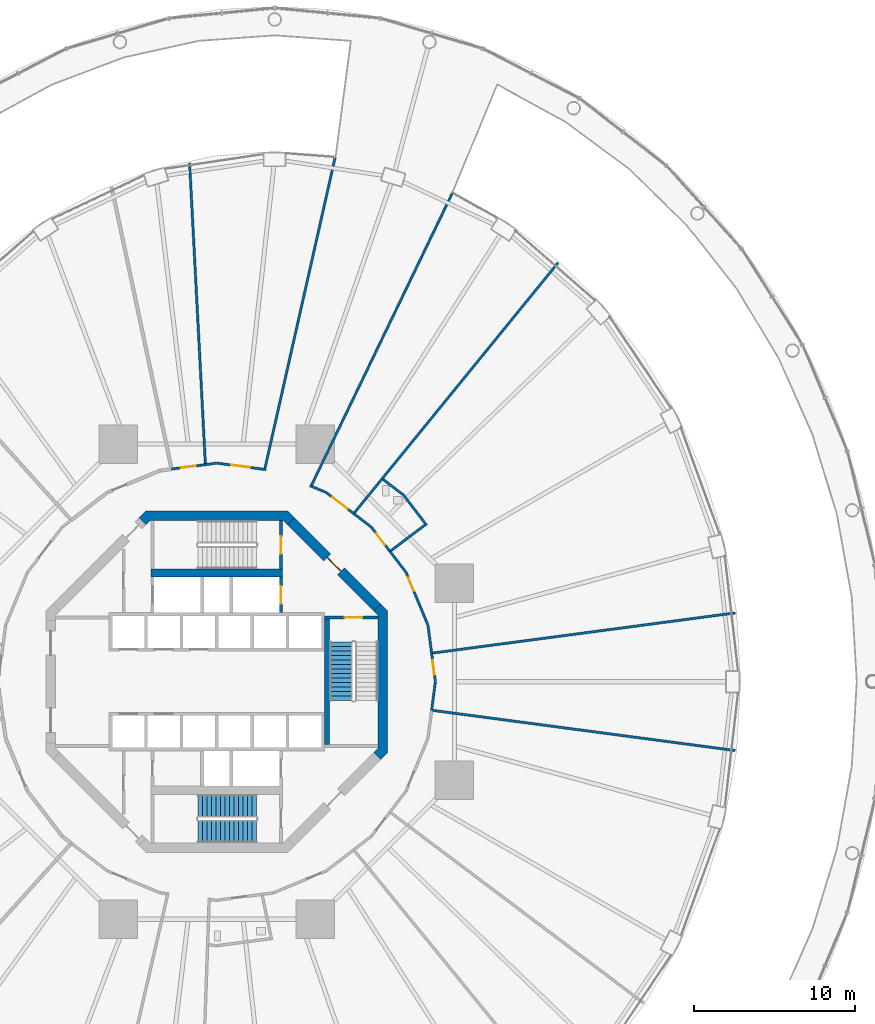
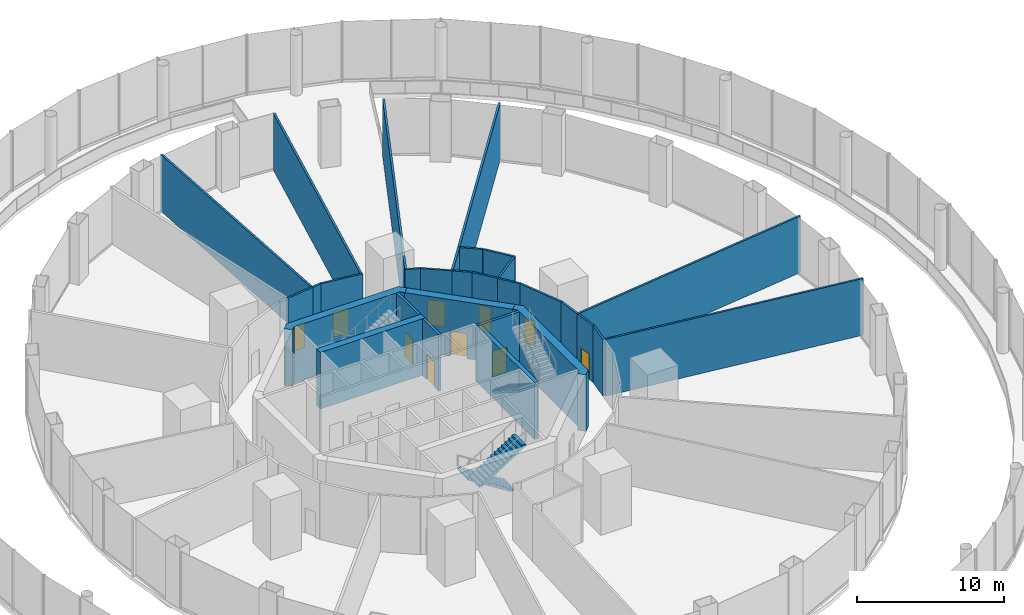
# One storey, part 44 of 48: 30 walls, 10 doors, 3 stair flights, 10 openings, 2 elements without a shape of their own.
"""IFC4 building model written with IfcOpenShell, lengths in metres."""

from ifc_helpers import new_model, si_unit, direction, frame, frame_2d, origin, place, context, subcontext, project, spatial, polyline, rectangle, outline, extrude, material, layer, layer_set, type_object, element, fill, aggregate, save


model = new_model("IFC4")

# Units and contexts
model_context = context("Model", 3, precision=1e-05, world=origin(), true_north=direction((0.0, 1.0)))
body_context = subcontext(model_context, "Body", "Model", "MODEL_VIEW")
ifc_project = project(units=[si_unit("LENGTHUNIT", "METRE"), si_unit("AREAUNIT", "SQUARE_METRE"), si_unit("VOLUMEUNIT", "CUBIC_METRE"), si_unit("PLANEANGLEUNIT", "RADIAN"), si_unit("MASSUNIT", "GRAM", prefix="KILO")], contexts=[model_context])

# Site, building, storey
site_placement = place(None, origin())
site = spatial("IfcSite", under=ifc_project, at=site_placement, CompositionType="ELEMENT")
building_placement = place(site_placement, origin())
building = spatial("IfcBuilding", under=site, at=building_placement, Name="Nagisa Residences", CompositionType="ELEMENT")
storey_placement = place(building_placement, frame((0.0, 0.0, 12.0)))
storey = spatial("IfcBuildingStorey", under=building, at=storey_placement, Name="L02", CompositionType="ELEMENT", Elevation=12.0)

# Wall, opening, door
ifc_material_1 = material(Name="Concrete C60", Category="concrete")
ifc_layer_1 = layer(ifc_material_1, 0.60009765625)
ifc_layer_set_1 = layer_set([ifc_layer_1], Name="Core shear wall 600")
wall_type_1 = type_object("IfcWallType", Name="Core shear wall 600", PredefinedType="SHEAR", material=ifc_layer_set_1)
wall_1_placement = place(storey_placement, frame((9.98828125, 4.613037109375, 0.0), z_axis=(0.0, 0.0, 1.0), x_axis=(-0.707106781187, 0.707106781187, 0.0)))
wall_1 = element("IfcWall", 1, at=wall_1_placement, inside=storey, type_object=wall_type_1, Name="wall:L02:core:flat1", PredefinedType="SHEAR", context=body_context, shape_type="SweptSolid", body=[
    extrude(rectangle(XDim=7.601806640625, YDim=0.60009765625, at=frame_2d((3.80078125, 0.0))), origin(), (0.0, 0.0, 1.0), 4.699951171875),
])
opening_1_placement = place(wall_1_placement, frame((3.200927734375, 0.0, 0.0)))
opening_1 = element("IfcOpeningElement", 2, at=opening_1_placement, cuts=wall_1, Name="Opening L02-C15", PredefinedType="OPENING", context=body_context, shape_type="SweptSolid", body=[
    extrude(rectangle(XDim=1.199951171875, YDim=2.10009765625, at=frame_2d((0.60009765625, 1.050048828125))), frame((0.0, 0.31005859375, 0.0), z_axis=(0.0, -1.0, 0.0), x_axis=(1.0, 0.0, 0.0)), (0.0, 0.0, 1.0), 0.6201171875),
])
ifc_material_2 = material(Name="Steel fire door", Category="steel")
door_type_1 = type_object("IfcDoorType", Name="Fire door EI60 1200x2100 single swing", OperationType="NOTDEFINED", PredefinedType="DOOR", material=ifc_material_2)
door_1_placement = place(opening_1_placement, origin())
door_1 = element("IfcDoor", 3, at=door_1_placement, inside=storey, type_object=door_type_1, Name="Firefighting lobby 1 door L02", OperationType="SINGLE_SWING_RIGHT", OverallHeight=2.10009765625, OverallWidth=1.199951171875, PredefinedType="DOOR", context=body_context, shape_type="SweptSolid", body=[
    extrude(rectangle(XDim=1.199951171875, YDim=2.10009765625, at=frame_2d((0.60009765625, 1.050048828125))), frame((0.0, 0.02490234375, 0.0), z_axis=(0.0, -1.0, 0.0), x_axis=(1.0, 0.0, 0.0)), (0.0, 0.0, 1.0), 0.050048828125),
])
fill(opening_1, door_1)

# Walls
wall_2_placement = place(storey_placement, origin())
element("IfcWall", 4, at=wall_2_placement, inside=storey, type_object=wall_type_1, Name="wall:L02:core:flat2", PredefinedType="SHEAR", context=body_context, shape_type="SweptSolid", body=[
    extrude(outline(polyline([(-4.15234375, 10.024658203125), (-4.40087890625, 9.776123046875), (-4.8251953125, 10.200439453125), (-4.40087890625, 10.62451171875), (4.40087890625, 10.62451171875), (4.8251953125, 10.200439453125), (4.40087890625, 9.776123046875), (4.15234375, 10.024658203125), (-4.15234375, 10.024658203125)])), origin(), (0.0, 0.0, 1.0), 4.699951171875),
])
wall_3_placement = place(storey_placement, origin())
element("IfcWall", 5, at=wall_3_placement, inside=storey, type_object=wall_type_1, Name="wall:L02:core:flat0", PredefinedType="SHEAR", context=body_context, shape_type="SweptSolid", body=[
    extrude(outline(polyline([(9.776123046875, -4.40087890625), (10.024658203125, -4.15234375), (10.024658203125, -3.801025390625), (10.024658203125, 4.15234375), (9.776123046875, 4.40087890625), (10.200439453125, 4.8251953125), (10.62451171875, 4.40087890625), (10.62451171875, -4.40087890625), (10.200439453125, -4.8251953125), (9.776123046875, -4.40087890625)])), origin(), (0.0, 0.0, 1.0), 4.699951171875),
])

# Wall, opening, door
ifc_material_3 = material(Name="Concrete C60", Category="concrete")
ifc_layer_2 = layer(ifc_material_3, 0.199951171875)
ifc_layer_set_2 = layer_set([ifc_layer_2], Name="Lift shaft wall 200")
wall_type_2 = type_object("IfcWallType", Name="Lift shaft wall 200", PredefinedType="SOLIDWALL", material=ifc_layer_set_2)
wall_4_placement = place(storey_placement, frame((4.0, 4.300048828125, 0.0), z_axis=(0.0, 0.0, 1.0), x_axis=(0.0, 1.0, 0.0)))
wall_4 = element("IfcWall", 6, at=wall_4_placement, inside=storey, type_object=wall_type_2, Name="wall:L02:Nb3", PredefinedType="SOLIDWALL", context=body_context, shape_type="SweptSolid", body=[
    extrude(rectangle(XDim=2.199951171875, YDim=0.199951171875, at=frame_2d((1.10009765625, 0.0))), origin(), (0.0, 0.0, 1.0), 4.699951171875),
])
opening_2_placement = place(wall_4_placement, frame((0.550048828125, 0.0, 0.0)))
opening_2 = element("IfcOpeningElement", 7, at=opening_2_placement, cuts=wall_4, Name="Opening L02-C06", PredefinedType="OPENING", context=body_context, shape_type="SweptSolid", body=[
    extrude(rectangle(XDim=1.10009765625, YDim=2.10009765625, at=frame_2d((0.550048828125, 1.050048828125))), frame((0.0, 0.10986328125, 0.0), z_axis=(0.0, -1.0, 0.0), x_axis=(1.0, 0.0, 0.0)), (0.0, 0.0, 1.0), 0.219970703125),
])
ifc_material_4 = material(Name="Stainless steel", Category="steel")
door_type_2 = type_object("IfcDoorType", Name="Lift landing door 1100x2100", OperationType="DOUBLE_DOOR_SLIDING", PredefinedType="DOOR", material=ifc_material_4)
door_2_placement = place(opening_2_placement, origin())
door_2 = element("IfcDoor", 8, at=door_2_placement, inside=storey, type_object=door_type_2, Name="Landing door FL1 L02", OperationType="DOUBLE_DOOR_SLIDING", OverallHeight=2.10009765625, OverallWidth=1.10009765625, PredefinedType="DOOR", context=body_context, shape_type="SweptSolid", body=[
    extrude(rectangle(XDim=1.10009765625, YDim=2.10009765625, at=frame_2d((0.550048828125, 1.050048828125))), frame((0.0, 0.02490234375, 0.0), z_axis=(0.0, -1.0, 0.0), x_axis=(1.0, 0.0, 0.0)), (0.0, 0.0, 1.0), 0.050048828125),
])
fill(opening_2, door_2)

ifc_material_5 = material(Name="Gypsum board on steel studs", Category="steel")
ifc_layer_3 = layer(ifc_material_5, 0.14990234375)
ifc_layer_set_3 = layer_set([ifc_layer_3], Name="Room partition EI60 150")
wall_type_3 = type_object("IfcWallType", Name="Room partition EI60 150", PredefinedType="PARTITIONING", material=ifc_layer_set_3)
wall_5_placement = place(storey_placement, frame((-2.81201171875, 13.229736328125, 0.0), z_axis=(0.0, 0.0, 1.0), x_axis=(0.991438625664, 0.130573548402, 0.0)))
wall_5 = element("IfcWall", 9, at=wall_5_placement, inside=storey, type_object=wall_type_3, Name="wall:L02:am011", PredefinedType="PARTITIONING", context=body_context, shape_type="SweptSolid", body=[
    extrude(rectangle(XDim=2.1220703125, YDim=0.14990234375, at=frame_2d((1.06103515625, 0.0))), origin(), (0.0, 0.0, 1.0), 4.699951171875),
])
opening_3_placement = place(wall_5_placement, frame((0.611083984375, 0.0, 0.0)))
opening_3 = element("IfcOpeningElement", 10, at=opening_3_placement, cuts=wall_5, Name="Opening L02-A05", PredefinedType="OPENING", context=body_context, shape_type="SweptSolid", body=[
    extrude(rectangle(XDim=0.89990234375, YDim=2.10009765625, at=frame_2d((0.449951171875, 1.050048828125))), frame((0.0, 0.0849609375, 0.0), z_axis=(0.0, -1.0, 0.0), x_axis=(1.0, 0.0, 0.0)), (0.0, 0.0, 1.0), 0.169921875),
])
ifc_material_6 = material(Name="Steel fire door", Category="steel")
door_type_3 = type_object("IfcDoorType", Name="Fire door EI30 900x2100 single swing", OperationType="NOTDEFINED", PredefinedType="DOOR", material=ifc_material_6)
door_3_placement = place(opening_3_placement, origin())
door_3 = element("IfcDoor", 11, at=door_3_placement, inside=storey, type_object=door_type_3, Name="Wine and glassware store door", OperationType="SINGLE_SWING_LEFT", OverallHeight=2.10009765625, OverallWidth=0.89990234375, PredefinedType="DOOR", context=body_context, shape_type="SweptSolid", body=[
    extrude(rectangle(XDim=0.89990234375, YDim=2.10009765625, at=frame_2d((0.449951171875, 1.050048828125))), frame((0.0, 0.02490234375, 0.0), z_axis=(0.0, -1.0, 0.0), x_axis=(1.0, 0.0, 0.0)), (0.0, 0.0, 1.0), 0.050048828125),
])
fill(opening_3, door_3)

# Walls
wall_6_placement = place(storey_placement, frame((-0.7119140625, 13.58203125, 0.0), z_axis=(0.0, 0.0, 1.0), x_axis=(-0.052329494039, 0.998629873403, 0.0)))
element("IfcWall", 12, at=wall_6_placement, inside=storey, type_object=wall_type_3, Name="wall:L02:am012", PredefinedType="PARTITIONING", context=body_context, shape_type="SweptSolid", body=[
    extrude(rectangle(XDim=18.7177734375, YDim=0.14990234375, at=frame_2d((9.35888671875, 0.0))), origin(), (0.0, 0.0, 1.0), 4.699951171875),
])
wall_7_placement = place(storey_placement, frame((-0.7080078125, 13.5068359375, 0.0), z_axis=(0.0, 0.0, 1.0), x_axis=(0.991466123966, 0.130364585024, 0.0)))
element("IfcWall", 13, at=wall_7_placement, inside=storey, type_object=wall_type_3, Name="wall:L02:am013", PredefinedType="PARTITIONING", context=body_context, shape_type="SweptSolid", body=[
    extrude(rectangle(XDim=0.702392578125, YDim=0.14990234375, at=frame_2d((0.35107421875, 0.0))), origin(), (0.0, 0.0, 1.0), 4.699951171875),
])

# Wall, opening, door
wall_8_placement = place(storey_placement, frame((0.01171875, 13.598388671875, 0.0), z_axis=(0.0, 0.0, 1.0), x_axis=(0.991450776896, -0.130481251495, 0.0)))
wall_8 = element("IfcWall", 14, at=wall_8_placement, inside=storey, type_object=wall_type_3, Name="wall:L02:am018", PredefinedType="PARTITIONING", context=body_context, shape_type="SweptSolid", body=[
    extrude(rectangle(XDim=3.070556640625, YDim=0.14990234375, at=frame_2d((1.53515625, 0.0))), origin(), (0.0, 0.0, 1.0), 4.699951171875),
])
opening_4_placement = place(wall_8_placement, frame((0.8916015625, 0.0, 0.0)))
opening_4 = element("IfcOpeningElement", 15, at=opening_4_placement, cuts=wall_8, Name="Opening L02-A04", PredefinedType="OPENING", context=body_context, shape_type="SweptSolid", body=[
    extrude(rectangle(XDim=1.199951171875, YDim=2.10009765625, at=frame_2d((0.60009765625, 1.050048828125))), frame((0.0, 0.0849609375, 0.0), z_axis=(0.0, -1.0, 0.0), x_axis=(1.0, 0.0, 0.0)), (0.0, 0.0, 1.0), 0.169921875),
])
ifc_material_7 = material(Name="Steel fire door", Category="steel")
door_type_4 = type_object("IfcDoorType", Name="Fire door EI30 1200x2100 single swing", OperationType="NOTDEFINED", PredefinedType="DOOR", material=ifc_material_7)
door_4_placement = place(opening_4_placement, frame((1.199951171875, 0.0, 0.0), x_axis=(-1.0, 0.0, 0.0)))
door_4 = element("IfcDoor", 16, at=door_4_placement, inside=storey, type_object=door_type_4, Name="Residents' dining room door", OperationType="SINGLE_SWING_LEFT", OverallHeight=2.10009765625, OverallWidth=1.199951171875, PredefinedType="DOOR", context=body_context, shape_type="SweptSolid", body=[
    extrude(rectangle(XDim=1.199951171875, YDim=2.10009765625, at=frame_2d((0.60009765625, 1.050048828125))), frame((0.0, 0.02490234375, 0.0), z_axis=(0.0, -1.0, 0.0), x_axis=(1.0, 0.0, 0.0)), (0.0, 0.0, 1.0), 0.050048828125),
])
fill(opening_4, door_4)

# Walls
wall_9_placement = place(storey_placement, frame((2.997802734375, 13.281005859375, 0.0), z_axis=(0.0, 0.0, 1.0), x_axis=(0.220191699756, 0.975456618901, 0.0)))
element("IfcWall", 17, at=wall_9_placement, inside=storey, type_object=wall_type_3, Name="wall:L02:am021", PredefinedType="PARTITIONING", context=body_context, shape_type="SweptSolid", body=[
    extrude(rectangle(XDim=19.82470703125, YDim=0.14990234375, at=frame_2d((9.912353515625, 0.0))), origin(), (0.0, 0.0, 1.0), 4.699951171875),
])
wall_10_placement = place(storey_placement, frame((5.79541015625, 12.194091796875, 0.0), z_axis=(0.0, 0.0, 1.0), x_axis=(0.923867429555, -0.382712650179, 0.0)))
element("IfcWall", 18, at=wall_10_placement, inside=storey, type_object=wall_type_3, Name="wall:L02:am024", PredefinedType="PARTITIONING", context=body_context, shape_type="SweptSolid", body=[
    extrude(rectangle(XDim=1.075439453125, YDim=0.14990234375, at=frame_2d((0.53759765625, 0.0))), origin(), (0.0, 0.0, 1.0), 4.699951171875),
])

# Wall, opening, door
wall_11_placement = place(storey_placement, frame((6.809326171875, 11.770751953125, 0.0), z_axis=(0.0, 0.0, 1.0), x_axis=(0.793372937326, -0.608735888805, 0.0)))
wall_11 = element("IfcWall", 19, at=wall_11_placement, inside=storey, type_object=wall_type_3, Name="wall:L02:am026", PredefinedType="PARTITIONING", context=body_context, shape_type="SweptSolid", body=[
    extrude(rectangle(XDim=2.1552734375, YDim=0.14990234375, at=frame_2d((1.07763671875, 0.0))), origin(), (0.0, 0.0, 1.0), 4.699951171875),
])
opening_5_placement = place(wall_11_placement, frame((0.4716796875, 0.0, 0.0)))
opening_5 = element("IfcOpeningElement", 20, at=opening_5_placement, cuts=wall_11, Name="Opening L02-A03", PredefinedType="OPENING", context=body_context, shape_type="SweptSolid", body=[
    extrude(rectangle(XDim=1.199951171875, YDim=2.10009765625, at=frame_2d((0.60009765625, 1.050048828125))), frame((0.0, 0.0849609375, 0.0), z_axis=(0.0, -1.0, 0.0), x_axis=(1.0, 0.0, 0.0)), (0.0, 0.0, 1.0), 0.169921875),
])
door_5_placement = place(opening_5_placement, frame((1.199951171875, 0.0, 0.0), x_axis=(-1.0, 0.0, 0.0)))
door_5 = element("IfcDoor", 21, at=door_5_placement, inside=storey, type_object=door_type_4, Name="Residents' library door", OperationType="SINGLE_SWING_RIGHT", OverallHeight=2.10009765625, OverallWidth=1.199951171875, PredefinedType="DOOR", context=body_context, shape_type="SweptSolid", body=[
    extrude(rectangle(XDim=1.199951171875, YDim=2.10009765625, at=frame_2d((0.60009765625, 1.050048828125))), frame((0.0, 0.02490234375, 0.0), z_axis=(0.0, -1.0, 0.0), x_axis=(1.0, 0.0, 0.0)), (0.0, 0.0, 1.0), 0.050048828125),
])
fill(opening_5, door_5)

# Walls
wall_12_placement = place(storey_placement, frame((8.519287109375, 10.458740234375, 0.0), z_axis=(0.0, 0.0, 1.0), x_axis=(0.793371316762, -0.6087380009, 0.0)))
element("IfcWall", 22, at=wall_12_placement, inside=storey, type_object=wall_type_3, Name="wall:L02:am029", PredefinedType="PARTITIONING", context=body_context, shape_type="SweptSolid", body=[
    extrude(rectangle(XDim=1.371337890625, YDim=0.14990234375, at=frame_2d((0.685546875, 0.0))), origin(), (0.0, 0.0, 1.0), 4.699951171875),
])
wall_13_placement = place(storey_placement, frame((8.566650390625, 10.51708984375, 0.0), z_axis=(0.0, 0.0, 1.0), x_axis=(0.631573271363, 0.775316195432, 0.0)))
element("IfcWall", 23, at=wall_13_placement, inside=storey, type_object=wall_type_3, Name="wall:L02:am030", PredefinedType="PARTITIONING", context=body_context, shape_type="SweptSolid", body=[
    extrude(rectangle(XDim=2.72607421875, YDim=0.14990234375, at=frame_2d((1.363037109375, 0.0))), origin(), (0.0, 0.0, 1.0), 4.699951171875),
])

# Wall, opening, door
wall_14_placement = place(storey_placement, frame((9.6240234375, 9.607177734375, 0.0), z_axis=(0.0, 0.0, 1.0), x_axis=(0.608754453805, -0.793358692504, 0.0)))
wall_14 = element("IfcWall", 24, at=wall_14_placement, inside=storey, type_object=wall_type_3, Name="wall:L02:am032", PredefinedType="PARTITIONING", context=body_context, shape_type="SweptSolid", body=[
    extrude(rectangle(XDim=1.888427734375, YDim=0.14990234375, at=frame_2d((0.9443359375, 0.0))), origin(), (0.0, 0.0, 1.0), 4.699951171875),
])
opening_6_placement = place(wall_14_placement, frame((0.48828125, 0.0, 0.0)))
opening_6 = element("IfcOpeningElement", 25, at=opening_6_placement, cuts=wall_14, Name="Opening L02-A01", PredefinedType="OPENING", context=body_context, shape_type="SweptSolid", body=[
    extrude(rectangle(XDim=0.89990234375, YDim=2.10009765625, at=frame_2d((0.449951171875, 1.050048828125))), frame((0.0, 0.0849609375, 0.0), z_axis=(0.0, -1.0, 0.0), x_axis=(1.0, 0.0, 0.0)), (0.0, 0.0, 1.0), 0.169921875),
])
door_6_placement = place(opening_6_placement, origin())
door_6 = element("IfcDoor", 26, at=door_6_placement, inside=storey, type_object=door_type_3, Name="Accessible WC door", OperationType="SINGLE_SWING_LEFT", OverallHeight=2.10009765625, OverallWidth=0.89990234375, PredefinedType="DOOR", context=body_context, shape_type="SweptSolid", body=[
    extrude(rectangle(XDim=0.89990234375, YDim=2.10009765625, at=frame_2d((0.449951171875, 1.050048828125))), frame((0.0, 0.02490234375, 0.0), z_axis=(0.0, -1.0, 0.0), x_axis=(1.0, 0.0, 0.0)), (0.0, 0.0, 1.0), 0.050048828125),
])
fill(opening_6, door_6)

# Walls
wall_15_placement = place(storey_placement, frame((10.347900390625, 12.5849609375, 0.0), z_axis=(0.0, 0.0, 1.0), x_axis=(0.793328373205, -0.608793965368, 0.0)))
element("IfcWall", 27, at=wall_15_placement, inside=storey, type_object=wall_type_3, Name="wall:L02:am033", PredefinedType="PARTITIONING", context=body_context, shape_type="SweptSolid", body=[
    extrude(rectangle(XDim=1.583740234375, YDim=0.14990234375, at=frame_2d((0.7919921875, 0.0))), origin(), (0.0, 0.0, 1.0), 4.699951171875),
])
wall_16_placement = place(storey_placement, frame((10.288330078125, 12.630615234375, 0.0), z_axis=(0.0, 0.0, 1.0), x_axis=(0.631546535922, 0.77533797338, 0.0)))
element("IfcWall", 28, at=wall_16_placement, inside=storey, type_object=wall_type_3, Name="wall:L02:am034", PredefinedType="PARTITIONING", context=body_context, shape_type="SweptSolid", body=[
    extrude(rectangle(XDim=17.3251953125, YDim=0.14990234375, at=frame_2d((8.66259765625, 0.0))), origin(), (0.0, 0.0, 1.0), 4.699951171875),
])
wall_17_placement = place(storey_placement, frame((10.773681640625, 8.10888671875, 0.0), z_axis=(0.0, 0.0, 1.0), x_axis=(0.608716251771, -0.793388003961, 0.0)))
element("IfcWall", 29, at=wall_17_placement, inside=storey, type_object=wall_type_3, Name="wall:L02:am037", PredefinedType="PARTITIONING", context=body_context, shape_type="SweptSolid", body=[
    extrude(rectangle(XDim=1.637939453125, YDim=0.14990234375, at=frame_2d((0.81884765625, 0.0))), origin(), (0.0, 0.0, 1.0), 4.699951171875),
])
wall_18_placement = place(storey_placement, frame((11.620849609375, 11.604248046875, 0.0), z_axis=(0.0, 0.0, 1.0), x_axis=(0.608759688573, -0.793354675771, 0.0)))
element("IfcWall", 30, at=wall_18_placement, inside=storey, type_object=wall_type_3, Name="wall:L02:am038", PredefinedType="PARTITIONING", context=body_context, shape_type="SweptSolid", body=[
    extrude(rectangle(XDim=2.358154296875, YDim=0.14990234375, at=frame_2d((1.17919921875, 0.0))), origin(), (0.0, 0.0, 1.0), 4.699951171875),
])

# Wall, opening, door
wall_19_placement = place(storey_placement, frame((11.782470703125, 6.7890625, 0.0), z_axis=(0.0, 0.0, 1.0), x_axis=(0.382677866108, -0.923881838111, 0.0)))
wall_19 = element("IfcWall", 31, at=wall_19_placement, inside=storey, type_object=wall_type_3, Name="wall:L02:am040", PredefinedType="PARTITIONING", context=body_context, shape_type="SweptSolid", body=[
    extrude(rectangle(XDim=3.52685546875, YDim=0.14990234375, at=frame_2d((1.763427734375, 0.0))), origin(), (0.0, 0.0, 1.0), 4.699951171875),
])
opening_7_placement = place(wall_19_placement, frame((0.345703125, 0.0, 0.0)))
opening_7 = element("IfcOpeningElement", 32, at=opening_7_placement, cuts=wall_19, Name="Opening L02-A02", PredefinedType="OPENING", context=body_context, shape_type="SweptSolid", body=[
    extrude(rectangle(XDim=0.89990234375, YDim=2.10009765625, at=frame_2d((0.449951171875, 1.050048828125))), frame((0.0, 0.0849609375, 0.0), z_axis=(0.0, -1.0, 0.0), x_axis=(1.0, 0.0, 0.0)), (0.0, 0.0, 1.0), 0.169921875),
])
door_7_placement = place(opening_7_placement, origin())
door_7 = element("IfcDoor", 33, at=door_7_placement, inside=storey, type_object=door_type_3, Name="Club storage and archive door", OperationType="SINGLE_SWING_RIGHT", OverallHeight=2.10009765625, OverallWidth=0.89990234375, PredefinedType="DOOR", context=body_context, shape_type="SweptSolid", body=[
    extrude(rectangle(XDim=0.89990234375, YDim=2.10009765625, at=frame_2d((0.449951171875, 1.050048828125))), frame((0.0, 0.02490234375, 0.0), z_axis=(0.0, -1.0, 0.0), x_axis=(1.0, 0.0, 0.0)), (0.0, 0.0, 1.0), 0.050048828125),
])
fill(opening_7, door_7)

# Walls
wall_20_placement = place(storey_placement, frame((12.950927734375, 9.747802734375, 0.0), z_axis=(0.0, 0.0, 1.0), x_axis=(-0.798970748419, -0.601369888813, 0.0)))
element("IfcWall", 34, at=wall_20_placement, inside=storey, type_object=wall_type_3, Name="wall:L02:am041", PredefinedType="PARTITIONING", context=body_context, shape_type="SweptSolid", body=[
    extrude(rectangle(XDim=2.650146484375, YDim=0.14990234375, at=frame_2d((1.3251953125, 0.0))), origin(), (0.0, 0.0, 1.0), 4.699951171875),
])
wall_21_placement = place(storey_placement, frame((13.13818359375, 3.508056640625, 0.0), z_axis=(0.0, 0.0, 1.0), x_axis=(0.130526735914, -0.991444789795, 0.0)))
element("IfcWall", 35, at=wall_21_placement, inside=storey, type_object=wall_type_3, Name="wall:L02:am043", PredefinedType="PARTITIONING", context=body_context, shape_type="SweptSolid", body=[
    extrude(rectangle(XDim=1.748779296875, YDim=0.14990234375, at=frame_2d((0.87451171875, 0.0))), origin(), (0.0, 0.0, 1.0), 4.699951171875),
])
wall_22_placement = place(storey_placement, frame((13.440673828125, -1.783935546875, 0.0), z_axis=(0.0, 0.0, 1.0), x_axis=(0.991305479384, -0.131580570535, 0.0)))
element("IfcWall", 36, at=wall_22_placement, inside=storey, type_object=wall_type_3, Name="wall:L02:am045", PredefinedType="PARTITIONING", context=body_context, shape_type="SweptSolid", body=[
    extrude(rectangle(XDim=18.9775390625, YDim=0.14990234375, at=frame_2d((9.48876953125, 0.0))), origin(), (0.0, 0.0, 1.0), 4.699951171875),
])

# Wall, opening, door
wall_23_placement = place(storey_placement, frame((13.366455078125, 1.774169921875, 0.0), z_axis=(0.0, 0.0, 1.0), x_axis=(0.130472275964, -0.991451958092, 0.0)))
wall_23 = element("IfcWall", 37, at=wall_23_placement, inside=storey, type_object=wall_type_3, Name="wall:L02:am046", PredefinedType="PARTITIONING", context=body_context, shape_type="SweptSolid", body=[
    extrude(rectangle(XDim=1.777587890625, YDim=0.14990234375, at=frame_2d((0.888671875, 0.0))), origin(), (0.0, 0.0, 1.0), 4.699951171875),
])
opening_8_placement = place(wall_23_placement, frame((0.444580078125, 0.0, 0.0)))
opening_8 = element("IfcOpeningElement", 38, at=opening_8_placement, cuts=wall_23, Name="Opening L02-A15", PredefinedType="OPENING", context=body_context, shape_type="SweptSolid", body=[
    extrude(rectangle(XDim=0.89990234375, YDim=2.10009765625, at=frame_2d((0.449951171875, 1.050048828125))), frame((0.0, 0.0849609375, 0.0), z_axis=(0.0, -1.0, 0.0), x_axis=(1.0, 0.0, 0.0)), (0.0, 0.0, 1.0), 0.169921875),
])
door_8_placement = place(opening_8_placement, origin())
door_8 = element("IfcDoor", 39, at=door_8_placement, inside=storey, type_object=door_type_3, Name="Cloakroom store door", OperationType="SINGLE_SWING_LEFT", OverallHeight=2.10009765625, OverallWidth=0.89990234375, PredefinedType="DOOR", context=body_context, shape_type="SweptSolid", body=[
    extrude(rectangle(XDim=0.89990234375, YDim=2.10009765625, at=frame_2d((0.449951171875, 1.050048828125))), frame((0.0, 0.02490234375, 0.0), z_axis=(0.0, -1.0, 0.0), x_axis=(1.0, 0.0, 0.0)), (0.0, 0.0, 1.0), 0.050048828125),
])
fill(opening_8, door_8)

# Walls
wall_24_placement = place(storey_placement, frame((13.598388671875, -0.01171875, 0.0), z_axis=(0.0, 0.0, 1.0), x_axis=(-0.130472275964, -0.991451958092, 0.0)))
element("IfcWall", 40, at=wall_24_placement, inside=storey, type_object=wall_type_3, Name="wall:L02:am047", PredefinedType="PARTITIONING", context=body_context, shape_type="SweptSolid", body=[
    extrude(rectangle(XDim=1.777587890625, YDim=0.14990234375, at=frame_2d((0.888671875, 0.0))), origin(), (0.0, 0.0, 1.0), 4.699951171875),
])
wall_25_placement = place(storey_placement, frame((14.654296875, 30.397705078125, 0.0), z_axis=(0.0, 0.0, 1.0), x_axis=(-0.434261119912, -0.900787033506, 0.0)))
element("IfcWall", 41, at=wall_25_placement, inside=storey, type_object=wall_type_3, Name="wall:L02:am048", PredefinedType="PARTITIONING", context=body_context, shape_type="SweptSolid", body=[
    extrude(rectangle(XDim=20.16552734375, YDim=0.14990234375, at=frame_2d((10.082763671875, 0.0))), origin(), (0.0, 0.0, 1.0), 4.699951171875),
])
wall_26_placement = place(storey_placement, frame((32.253173828125, 4.281005859375, 0.0), z_axis=(0.0, 0.0, 1.0), x_axis=(-0.991305479384, -0.131580570535, 0.0)))
element("IfcWall", 42, at=wall_26_placement, inside=storey, type_object=wall_type_3, Name="wall:L02:am049", PredefinedType="PARTITIONING", context=body_context, shape_type="SweptSolid", body=[
    extrude(rectangle(XDim=18.9775390625, YDim=0.14990234375, at=frame_2d((9.48876953125, 0.0))), origin(), (0.0, 0.0, 1.0), 4.699951171875),
])

# Wall, opening, door
ifc_material_8 = material(Name="Concrete C60", Category="concrete")
ifc_layer_4 = layer(ifc_material_8, 0.199951171875)
ifc_layer_set_4 = layer_set([ifc_layer_4], Name="Stair enclosure wall 200")
wall_type_4 = type_object("IfcWallType", Name="Stair enclosure wall 200", PredefinedType="SOLIDWALL", material=ifc_layer_set_4)
wall_27_placement = place(storey_placement, frame((6.699951171875, 4.0, 0.0), z_axis=(0.0, 0.0, 1.0), x_axis=(1.0, 0.0, 0.0)))
wall_27 = element("IfcWall", 43, at=wall_27_placement, inside=storey, type_object=wall_type_4, Name="wall:L02:SE_n", PredefinedType="SOLIDWALL", context=body_context, shape_type="SweptSolid", body=[
    extrude(rectangle(XDim=3.32470703125, YDim=0.199951171875, at=frame_2d((1.662353515625, 0.0))), origin(), (0.0, 0.0, 1.0), 4.699951171875),
])
opening_9_placement = place(wall_27_placement, frame((1.25, 0.0, 0.0)))
opening_9 = element("IfcOpeningElement", 44, at=opening_9_placement, cuts=wall_27, Name="Opening L02-C09", PredefinedType="OPENING", context=body_context, shape_type="SweptSolid", body=[
    extrude(rectangle(XDim=1.10009765625, YDim=2.10009765625, at=frame_2d((0.550048828125, 1.050048828125))), frame((0.0, 0.10986328125, 0.0), z_axis=(0.0, -1.0, 0.0), x_axis=(1.0, 0.0, 0.0)), (0.0, 0.0, 1.0), 0.219970703125),
])
ifc_material_9 = material(Name="Steel fire door", Category="steel")
door_type_5 = type_object("IfcDoorType", Name="Fire door EI90 1100x2100 single swing", OperationType="NOTDEFINED", PredefinedType="DOOR", material=ifc_material_9)
door_9_placement = place(opening_9_placement, frame((1.10009765625, 0.0, 0.0), x_axis=(-1.0, 0.0, 0.0)))
door_9 = element("IfcDoor", 45, at=door_9_placement, inside=storey, type_object=door_type_5, Name="Stair door ST-E L02", OperationType="SINGLE_SWING_LEFT", OverallHeight=2.10009765625, OverallWidth=1.10009765625, PredefinedType="DOOR", context=body_context, shape_type="SweptSolid", body=[
    extrude(rectangle(XDim=1.10009765625, YDim=2.10009765625, at=frame_2d((0.550048828125, 1.050048828125))), frame((0.0, 0.02490234375, 0.0), z_axis=(0.0, -1.0, 0.0), x_axis=(1.0, 0.0, 0.0)), (0.0, 0.0, 1.0), 0.050048828125),
])
fill(opening_9, door_9)

wall_28_placement = place(storey_placement, frame((4.0, 7.024658203125, 0.0), z_axis=(0.0, 0.0, 1.0), x_axis=(0.0, 1.0, 0.0)))
wall_28 = element("IfcWall", 46, at=wall_28_placement, inside=storey, type_object=wall_type_4, Name="wall:L02:SN_e", PredefinedType="SOLIDWALL", context=body_context, shape_type="SweptSolid", body=[
    extrude(rectangle(XDim=3.0, YDim=0.199951171875, at=frame_2d((1.5, 0.0))), origin(), (0.0, 0.0, 1.0), 4.699951171875),
])
opening_10_placement = place(wall_28_placement, frame((0.92529296875, 0.0, 0.0)))
opening_10 = element("IfcOpeningElement", 47, at=opening_10_placement, cuts=wall_28, Name="Opening L02-C10", PredefinedType="OPENING", context=body_context, shape_type="SweptSolid", body=[
    extrude(rectangle(XDim=1.10009765625, YDim=2.10009765625, at=frame_2d((0.550048828125, 1.050048828125))), frame((0.0, 0.10986328125, 0.0), z_axis=(0.0, -1.0, 0.0), x_axis=(1.0, 0.0, 0.0)), (0.0, 0.0, 1.0), 0.219970703125),
])
door_10_placement = place(opening_10_placement, origin())
door_10 = element("IfcDoor", 48, at=door_10_placement, inside=storey, type_object=door_type_5, Name="Stair door ST-N L02", OperationType="SINGLE_SWING_RIGHT", OverallHeight=2.10009765625, OverallWidth=1.10009765625, PredefinedType="DOOR", context=body_context, shape_type="SweptSolid", body=[
    extrude(rectangle(XDim=1.10009765625, YDim=2.10009765625, at=frame_2d((0.550048828125, 1.050048828125))), frame((0.0, 0.02490234375, 0.0), z_axis=(0.0, -1.0, 0.0), x_axis=(1.0, 0.0, 0.0)), (0.0, 0.0, 1.0), 0.050048828125),
])
fill(opening_10, door_10)

# Walls
wall_29_placement = place(storey_placement, origin())
element("IfcWall", 49, at=wall_29_placement, inside=storey, type_object=wall_type_4, Name="wall:L02:SN_s", PredefinedType="SOLIDWALL", context=body_context, shape_type="SweptSolid", body=[
    extrude(outline(polyline([(4.10009765625, 6.5), (-4.10009765625, 6.5), (-4.10009765625, 7.024658203125), (4.10009765625, 7.024658203125), (4.10009765625, 6.5)])), origin(), (0.0, 0.0, 1.0), 4.699951171875),
])
wall_30_placement = place(storey_placement, origin())
element("IfcWall", 50, at=wall_30_placement, inside=storey, type_object=wall_type_4, Name="wall:L02:SE_w", PredefinedType="SOLIDWALL", context=body_context, shape_type="SweptSolid", body=[
    extrude(outline(polyline([(7.024658203125, -3.89990234375), (6.699951171875, -3.89990234375), (6.699951171875, 3.89990234375), (7.024658203125, 3.89990234375), (7.024658203125, -3.89990234375)])), origin(), (0.0, 0.0, 1.0), 4.699951171875),
])

# Stair, stair flight
ifc_material_10 = material(Name="Concrete C60", Category="concrete")
stair_type = type_object("IfcStairType", Name="Exit stair", PredefinedType="HALF_TURN_STAIR", material=ifc_material_10)
stair_1_placement = place(storey_placement, origin())
stair_1 = element("IfcStair", 51, at=stair_1_placement, inside=storey, type_object=stair_type, Name="L02 Exit stair E", PredefinedType="HALF_TURN_STAIR")
ifc_material_11 = material(Name="Concrete C60", Category="concrete")
stair_flight_type = type_object("IfcStairFlightType", Name="Exit stair flight", PredefinedType="STRAIGHT", material=ifc_material_11)
stair_flight_1_placement = place(storey_placement, frame((7.737060546875, 2.47509765625, 0.0), z_axis=(0.0, 0.0, 1.0), x_axis=(0.0, -1.0, 0.0)))
stair_flight_1 = element("IfcStairFlight", 52, at=stair_flight_1_placement, type_object=stair_flight_type, Name="ST-E flight 1", NumberOfRisers=14, NumberOfTreads=13, PredefinedType="STRAIGHT", RiserHeight=0.178571429, TreadLength=0.28, context=body_context, shape_type="SweptSolid", body=[
    extrude(outline(polyline([(0.0, 0.0), (0.0, 0.178466796875), (0.280029296875, 0.178466796875), (0.280029296875, 0.357177734375), (0.56005859375, 0.357177734375), (0.56005859375, 0.53564453125), (0.840087890625, 0.53564453125), (0.840087890625, 0.71435546875), (1.1201171875, 0.71435546875), (1.1201171875, 0.892822265625), (1.39990234375, 0.892822265625), (1.39990234375, 1.071533203125), (1.679931640625, 1.071533203125), (1.679931640625, 1.25), (1.9599609375, 1.25), (1.9599609375, 1.428466796875), (2.239990234375, 1.428466796875), (2.239990234375, 1.607177734375), (2.52001953125, 1.607177734375), (2.52001953125, 1.78564453125), (2.800048828125, 1.78564453125), (2.800048828125, 1.96435546875), (3.080078125, 1.96435546875), (3.080078125, 2.142822265625), (3.360107421875, 2.142822265625), (3.360107421875, 2.321533203125), (3.639892578125, 2.321533203125), (3.639892578125, 2.5), (3.639892578125, 2.1435546875), (0.27880859375, 0.0), (0.0, 0.0)])), frame((0.0, 0.71240234375, 0.0), z_axis=(0.0, -1.0, 0.0), x_axis=(1.0, 0.0, 0.0)), (0.0, 0.0, 1.0), 1.425048828125),
])
aggregate(stair_1, [stair_flight_1])

# Stair, stair flights
stair_2_placement = place(storey_placement, origin())
stair_2 = element("IfcStair", 53, at=stair_2_placement, inside=storey, type_object=stair_type, Name="L02 Exit stair S", PredefinedType="HALF_TURN_STAIR")
stair_flight_2_placement = place(storey_placement, frame((2.47509765625, -7.737060546875, 0.0), z_axis=(0.0, 0.0, 1.0), x_axis=(-1.0, 0.0, 0.0)))
stair_flight_2 = element("IfcStairFlight", 54, at=stair_flight_2_placement, type_object=stair_flight_type, Name="ST-S flight 1", NumberOfRisers=14, NumberOfTreads=13, PredefinedType="STRAIGHT", RiserHeight=0.178571429, TreadLength=0.28, context=body_context, shape_type="SweptSolid", body=[
    extrude(outline(polyline([(0.0, 0.0), (0.0, 0.178466796875), (0.280029296875, 0.178466796875), (0.280029296875, 0.357177734375), (0.56005859375, 0.357177734375), (0.56005859375, 0.53564453125), (0.840087890625, 0.53564453125), (0.840087890625, 0.71435546875), (1.1201171875, 0.71435546875), (1.1201171875, 0.892822265625), (1.39990234375, 0.892822265625), (1.39990234375, 1.071533203125), (1.679931640625, 1.071533203125), (1.679931640625, 1.25), (1.9599609375, 1.25), (1.9599609375, 1.428466796875), (2.239990234375, 1.428466796875), (2.239990234375, 1.607177734375), (2.52001953125, 1.607177734375), (2.52001953125, 1.78564453125), (2.800048828125, 1.78564453125), (2.800048828125, 1.96435546875), (3.080078125, 1.96435546875), (3.080078125, 2.142822265625), (3.360107421875, 2.142822265625), (3.360107421875, 2.321533203125), (3.639892578125, 2.321533203125), (3.639892578125, 2.5), (3.639892578125, 2.1435546875), (0.27880859375, 0.0), (0.0, 0.0)])), frame((0.0, 0.71240234375, 0.0), z_axis=(0.0, -1.0, 0.0), x_axis=(1.0, 0.0, 0.0)), (0.0, 0.0, 1.0), 1.425048828125),
])
stair_flight_3_placement = place(storey_placement, frame((-1.1650390625, -9.31201171875, 2.5), z_axis=(0.0, 0.0, 1.0), x_axis=(1.0, 0.0, 0.0)))
stair_flight_3 = element("IfcStairFlight", 55, at=stair_flight_3_placement, type_object=stair_flight_type, Name="ST-S flight 2", NumberOfRisers=14, NumberOfTreads=13, PredefinedType="STRAIGHT", RiserHeight=0.178571429, TreadLength=0.28, context=body_context, shape_type="SweptSolid", body=[
    extrude(outline(polyline([(0.0, 0.0), (0.0, 0.178466796875), (0.280029296875, 0.178466796875), (0.280029296875, 0.357177734375), (0.56005859375, 0.357177734375), (0.56005859375, 0.53564453125), (0.840087890625, 0.53564453125), (0.840087890625, 0.71435546875), (1.1201171875, 0.71435546875), (1.1201171875, 0.892822265625), (1.39990234375, 0.892822265625), (1.39990234375, 1.071533203125), (1.679931640625, 1.071533203125), (1.679931640625, 1.25), (1.9599609375, 1.25), (1.9599609375, 1.428466796875), (2.239990234375, 1.428466796875), (2.239990234375, 1.607177734375), (2.52001953125, 1.607177734375), (2.52001953125, 1.78564453125), (2.800048828125, 1.78564453125), (2.800048828125, 1.96435546875), (3.080078125, 1.96435546875), (3.080078125, 2.142822265625), (3.360107421875, 2.142822265625), (3.360107421875, 2.321533203125), (3.639892578125, 2.321533203125), (3.639892578125, 2.5), (3.639892578125, 2.1435546875), (0.27880859375, 0.0), (0.0, 0.0)])), frame((0.0, 0.71240234375, 0.0), z_axis=(0.0, -1.0, 0.0), x_axis=(1.0, 0.0, 0.0)), (0.0, 0.0, 1.0), 1.425048828125),
])
aggregate(stair_2, [stair_flight_2, stair_flight_3])

save(model, "model.ifc")
